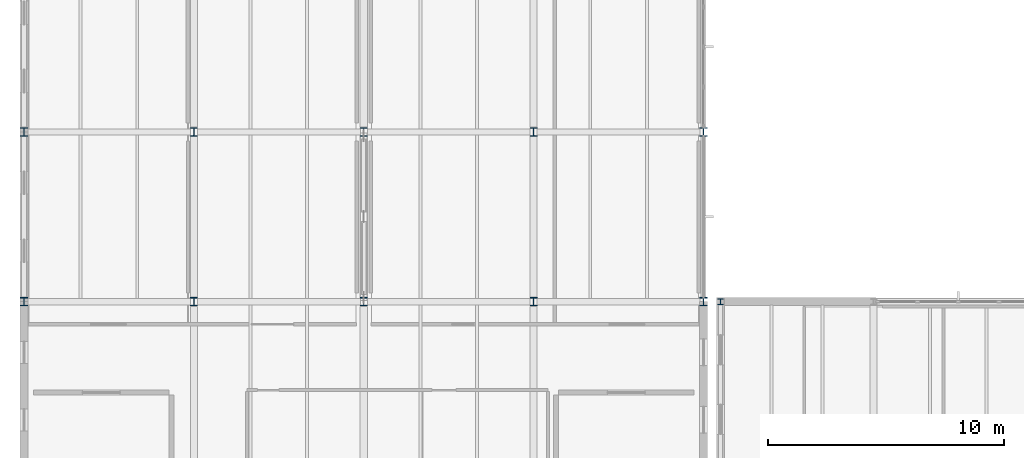
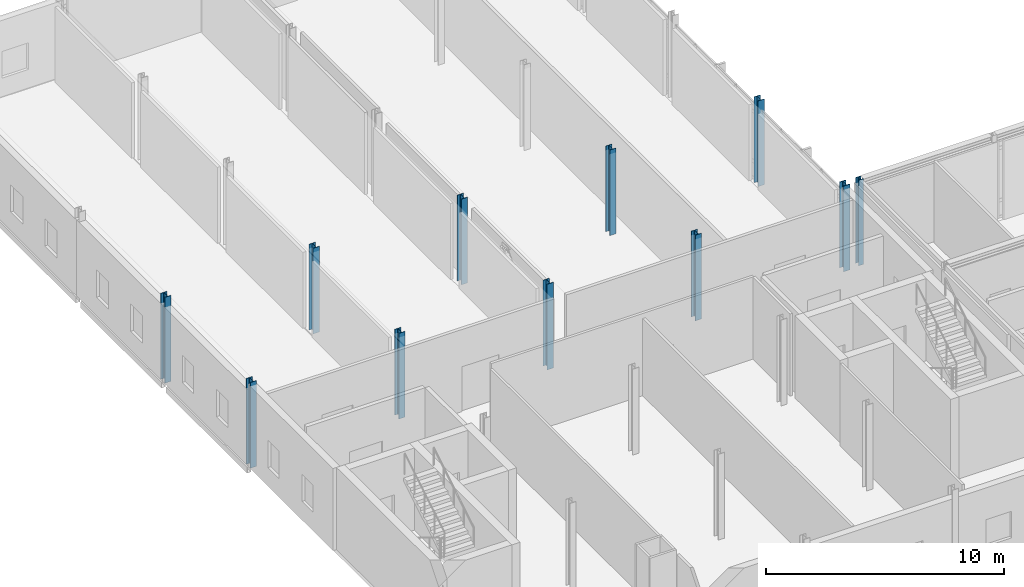
# One storey, part 2 of 43: 11 columns.
"""IFC4 building model written with IfcOpenShell, lengths in metres."""

from ifc_helpers import new_model, si_unit, direction, frame, origin, origin_2d, place, context, subcontext, project, spatial, i_section, extrude, material, material_profile, profile_set, type_object, element, save


model = new_model("IFC4")

# Units and contexts
model_context = context("Model", 3, precision=1e-05, world=origin(), true_north=direction((0.0, 1.0)))
body_context = subcontext(model_context, "Body", "Model", "MODEL_VIEW")
ifc_project = project(units=[si_unit("LENGTHUNIT", "METRE"), si_unit("AREAUNIT", "SQUARE_METRE"), si_unit("VOLUMEUNIT", "CUBIC_METRE"), si_unit("PLANEANGLEUNIT", "RADIAN"), si_unit("MASSUNIT", "GRAM", prefix="KILO")], contexts=[model_context])

# Site, building, storey
site_placement = place(None, origin())
site = spatial("IfcSite", under=ifc_project, at=site_placement, CompositionType="ELEMENT")
building_placement = place(site_placement, origin())
building = spatial("IfcBuilding", under=site, at=building_placement, Name="Zarrinpeak Specialist Clinic", CompositionType="ELEMENT")
storey_placement = place(building_placement, frame((0.0, 0.0, 18.39990234375)))
storey = spatial("IfcBuildingStorey", under=building, at=storey_placement, Name="L04", CompositionType="ELEMENT", Elevation=18.39990234375)

# Columns
ifc_material = material(Name="Steel S355", Category="steel")
ifc_material_profile_1 = material_profile(ifc_material, i_section(OverallWidth=0.239990234375, OverallDepth=0.239990234375, WebThickness=0.010009765625, FlangeThickness=0.01708984375, FilletRadius=0.02099609375, at=origin_2d()), Name="HEB 240")
ifc_profile_set_1 = profile_set([ifc_material_profile_1], Name="Steel S355")
column_type_1 = type_object("IfcColumnType", Name="COL-HEB240", PredefinedType="COLUMN", material=ifc_profile_set_1)
column_placement = place(storey_placement, frame((29.52001953125, 21.60009765625, 0.0), z_axis=(0.0, 0.0, 1.0), x_axis=(1.0, 0.0, 0.0)))
element("IfcColumn", 1, at=column_placement, inside=storey, type_object=column_type_1, Name="L04 Structural Column COL-L04-039", PredefinedType="COLUMN", context=body_context, shape_type="SweptSolid", body=[
    extrude(i_section(OverallWidth=0.239990234375, OverallDepth=0.239990234375, WebThickness=0.010009765625, FlangeThickness=0.01708984375, FilletRadius=0.02099609375, at=origin_2d()), origin(), (0.0, 0.0, 1.0), 4.400146484375),
])
ifc_material_profile_2 = material_profile(ifc_material, i_section(OverallWidth=0.300048828125, OverallDepth=0.360107421875, WebThickness=0.012451171875, FlangeThickness=0.0224609375, FilletRadius=0.027099609375, at=origin_2d()), Name="HEB 360")
ifc_profile_set_2 = profile_set([ifc_material_profile_2], Name="Steel S355")
column_type_2 = type_object("IfcColumnType", Name="COL-HEB360", PredefinedType="COLUMN", material=ifc_profile_set_2)
for number, where, z_axis, x_axis, name in (
    (2, (0.0, 21.60009765625, 0.0), (0.0, 0.0, 1.0), (1.0, 0.0, 0.0), "L04 Structural Column COL-L04-002"),
    (3, (0.0, 28.800048828125, 0.0), (0.0, 0.0, 1.0), (1.0, 0.0, 0.0), "L04 Structural Column COL-L04-003"),
    (4, (7.199951171875, 21.60009765625, 0.0), (0.0, 0.0, 1.0), (1.0, 0.0, 0.0), "L04 Structural Column COL-L04-010"),
    (5, (7.199951171875, 28.800048828125, 0.0), (0.0, 0.0, 1.0), (1.0, 0.0, 0.0), "L04 Structural Column COL-L04-011"),
    (6, (14.39990234375, 21.60009765625, 0.0), (0.0, 0.0, 1.0), (1.0, 0.0, 0.0), "L04 Structural Column COL-L04-018"),
    (7, (14.39990234375, 28.800048828125, 0.0), (0.0, 0.0, 1.0), (1.0, 0.0, 0.0), "L04 Structural Column COL-L04-019"),
    (8, (21.60009765625, 21.60009765625, 0.0), (0.0, 0.0, 1.0), (1.0, 0.0, 0.0), "L04 Structural Column COL-L04-026"),
    (9, (21.60009765625, 28.800048828125, 0.0), (0.0, 0.0, 1.0), (1.0, 0.0, 0.0), "L04 Structural Column COL-L04-027"),
    (10, (28.800048828125, 21.60009765625, 0.0), (0.0, 0.0, 1.0), (1.0, 0.0, 0.0), "L04 Structural Column COL-L04-032"),
    (11, (28.800048828125, 28.800048828125, 0.0), (0.0, 0.0, 1.0), (1.0, 0.0, 0.0), "L04 Structural Column COL-L04-033"),
):
    element("IfcColumn", number, at=place(storey_placement, frame(where, z_axis=z_axis, x_axis=x_axis)), inside=storey, type_object=column_type_2, Name=name, PredefinedType="COLUMN", context=body_context, shape_type="SweptSolid", body=[
        extrude(i_section(OverallWidth=0.300048828125, OverallDepth=0.360107421875, WebThickness=0.012451171875, FlangeThickness=0.0224609375, FilletRadius=0.027099609375, at=origin_2d()), origin(), (0.0, 0.0, 1.0), 4.400146484375),
    ])

save(model, "model.ifc")
